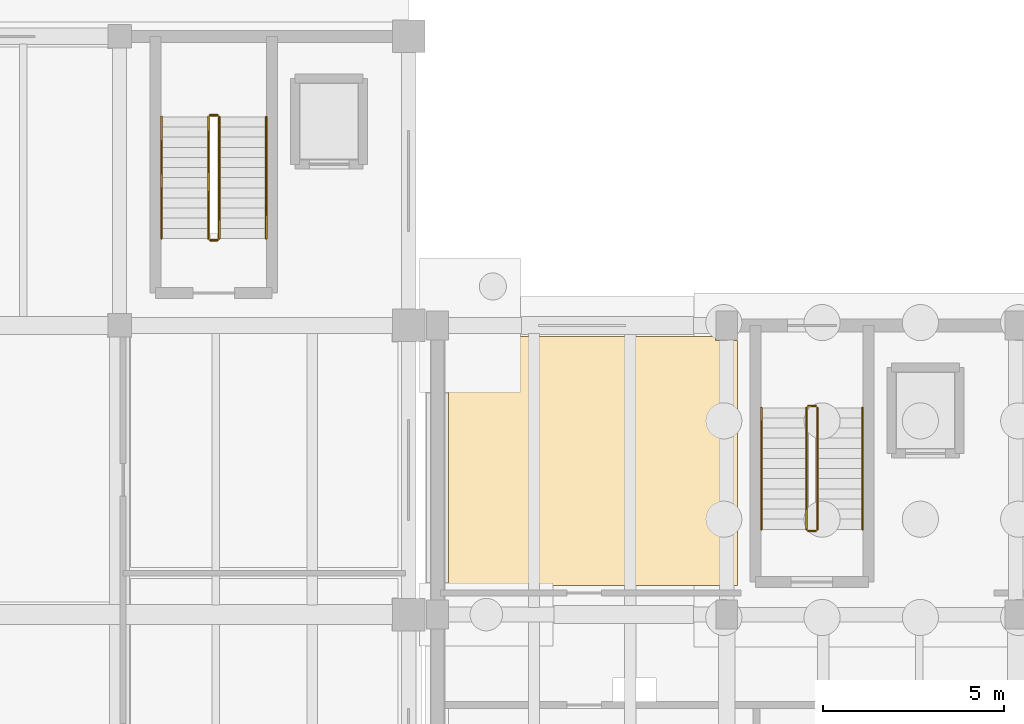
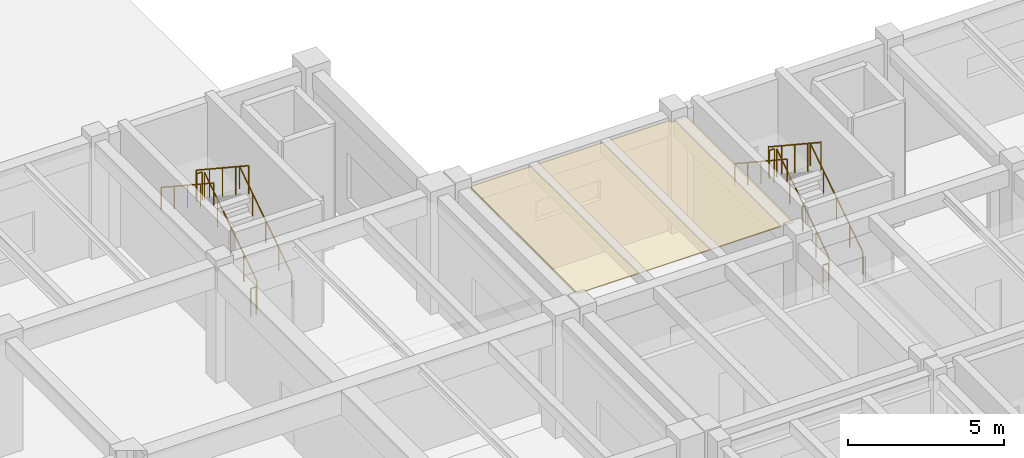
# One storey, part 54 of 64: 12 railings, 1 covering.
"""IFC4 building model written with IfcOpenShell, lengths in metres."""

from ifc_helpers import new_model, si_unit, direction, frame, origin, origin_2d, place, context, subcontext, project, spatial, polyline, circle, outline, extrude, material, layer, layer_set, type_object, element, save


model = new_model("IFC4")

# Units and contexts
model_context = context("Model", 3, precision=1e-05, world=origin(), true_north=direction((0.0, 1.0)))
body_context = subcontext(model_context, "Body", "Model", "MODEL_VIEW")
ifc_project = project(units=[si_unit("LENGTHUNIT", "METRE"), si_unit("AREAUNIT", "SQUARE_METRE"), si_unit("VOLUMEUNIT", "CUBIC_METRE"), si_unit("PLANEANGLEUNIT", "RADIAN"), si_unit("MASSUNIT", "GRAM", prefix="KILO")], contexts=[model_context])

# Site, building, storey
site_placement = place(None, origin())
site = spatial("IfcSite", under=ifc_project, at=site_placement, CompositionType="ELEMENT")
building_placement = place(site_placement, origin())
building = spatial("IfcBuilding", under=site, at=building_placement, Name="Tlaxcora Railside Police Headquarters", CompositionType="ELEMENT")
storey_placement = place(building_placement, origin())
storey = spatial("IfcBuildingStorey", under=building, at=storey_placement, Name="L00", CompositionType="ELEMENT", Elevation=0.0)

# Covering
ifc_material_1 = material(Name="Mineral-fibre acoustic ceiling tile")
ifc_layer = layer(ifc_material_1, 0.034912109375, Name="Mineral-fibre acoustic ceiling tile")
ifc_layer_set = layer_set([ifc_layer], Name="Mineral-fibre acoustic ceiling tile")
covering_type = type_object("IfcCoveringType", Name="Acoustic Suspended Ceiling CLG-01", PredefinedType="CEILING", material=ifc_layer_set)
covering_placement = place(storey_placement, frame((0.0, 0.0, 4.364990234375)))
element("IfcCovering", 1, at=covering_placement, inside=storey, type_object=covering_type, Name="Legal Consultation Booths and Advocate Entry suspended ceiling", PredefinedType="CEILING", context=body_context, shape_type="SweptSolid", body=[
    extrude(outline(polyline([(103.10009765625, 51.590087890625), (103.10009765625, 44.800048828125), (111.10009765625, 44.800048828125), (111.10009765625, 51.590087890625), (110.489990234375, 51.590087890625), (110.489990234375, 51.699951171875), (103.110107421875, 51.699951171875), (103.110107421875, 51.590087890625), (103.10009765625, 51.590087890625)])), origin(), (0.0, 0.0, 1.0), 0.034912109375),
])

# Railings
ifc_material_2 = material(Name="Steel ASTM A992 Grade 50", Category="steel")
railing_type_1 = type_object("IfcRailingType", Name="Stair Well Guard Balustrade GR-02", PredefinedType="BALUSTRADE", material=ifc_material_2)
railing_1_placement = place(storey_placement, frame((96.760009765625, 54.409912109375, 0.1845703125)))
element("IfcRailing", 2, at=railing_1_placement, inside=storey, type_object=railing_type_1, Name="L00 ST9 stair guard 1", PredefinedType="BALUSTRADE", context=body_context, shape_type="SweptSolid", body=[
    extrude(circle(Radius=0.02392578125, at=origin_2d()), frame((0.0, 0.0, 1.09619140625), z_axis=(0.0, 0.834876476806, 0.550437342915), x_axis=(-1.0, 0.0, 0.0)), (0.0, 0.0, 1.0), 4.024658203125),
    extrude(circle(Radius=0.02099609375, at=origin_2d()), origin(), (0.0, 0.0, 1.0), 1.072021484375),
    extrude(circle(Radius=0.02099609375, at=origin_2d()), frame((0.0, 0.840087890625, 0.5537109375)), (0.0, 0.0, 1.0), 1.072021484375),
    extrude(circle(Radius=0.02099609375, at=origin_2d()), frame((0.0, 1.68017578125, 1.107666015625)), (0.0, 0.0, 1.0), 1.072021484375),
    extrude(circle(Radius=0.02099609375, at=origin_2d()), frame((0.0, 2.52001953125, 1.66162109375)), (0.0, 0.0, 1.0), 1.072021484375),
    extrude(circle(Radius=0.02099609375, at=origin_2d()), frame((0.0, 3.360107421875, 2.21533203125)), (0.0, 0.0, 1.0), 1.072021484375),
])
railing_2_placement = place(storey_placement, frame((96.7099609375, 57.820068359375, 2.39990234375)))
element("IfcRailing", 3, at=railing_2_placement, inside=storey, type_object=railing_type_1, Name="L00 ST9 stair guard 2", PredefinedType="BALUSTRADE", context=body_context, shape_type="SweptSolid", body=[
    extrude(circle(Radius=0.02392578125, at=origin_2d()), frame((0.0, 0.0, 1.09619140625), z_axis=(-1.0, 0.0, 0.0), x_axis=(0.0, -1.0, 0.0)), (0.0, 0.0, 1.0), 0.199951171875),
    extrude(circle(Radius=0.02099609375, at=origin_2d()), origin(), (0.0, 0.0, 1.0), 1.072021484375),
    extrude(circle(Radius=0.02099609375, at=origin_2d()), frame((-0.199951171875, 0.0, 0.0)), (0.0, 0.0, 1.0), 1.072021484375),
])
railing_3_placement = place(storey_placement, frame((96.4599609375, 57.77001953125, 2.584716796875)))
element("IfcRailing", 4, at=railing_3_placement, inside=storey, type_object=railing_type_1, Name="L00 ST9 stair guard 3", PredefinedType="BALUSTRADE", context=body_context, shape_type="SweptSolid", body=[
    extrude(circle(Radius=0.02392578125, at=origin_2d()), frame((0.0, 0.0, 1.09619140625), z_axis=(0.0, -0.834876476806, 0.550437342915), x_axis=(1.0, 0.0, 0.0)), (0.0, 0.0, 1.0), 4.024658203125),
    extrude(circle(Radius=0.02099609375, at=origin_2d()), origin(), (0.0, 0.0, 1.0), 1.072021484375),
    extrude(circle(Radius=0.02099609375, at=origin_2d()), frame((0.0, -0.840087890625, 0.5537109375)), (0.0, 0.0, 1.0), 1.072021484375),
    extrude(circle(Radius=0.02099609375, at=origin_2d()), frame((0.0, -1.68017578125, 1.107666015625)), (0.0, 0.0, 1.0), 1.072021484375),
    extrude(circle(Radius=0.02099609375, at=origin_2d()), frame((0.0, -2.52001953125, 1.66162109375)), (0.0, 0.0, 1.0), 1.072021484375),
    extrude(circle(Radius=0.02099609375, at=origin_2d()), frame((0.0, -3.360107421875, 2.21533203125)), (0.0, 0.0, 1.0), 1.072021484375),
])
railing_4_placement = place(storey_placement, frame((96.7099609375, 54.360107421875, 0.0)))
element("IfcRailing", 5, at=railing_4_placement, inside=storey, type_object=railing_type_1, Name="L00 ST9 stair guard 4", PredefinedType="BALUSTRADE", context=body_context, shape_type="SweptSolid", body=[
    extrude(circle(Radius=0.02392578125, at=origin_2d()), frame((0.0, 0.0, 1.09619140625), z_axis=(-1.0, 0.0, 0.0), x_axis=(0.0, -1.0, 0.0)), (0.0, 0.0, 1.0), 0.199951171875),
    extrude(circle(Radius=0.02099609375, at=origin_2d()), origin(), (0.0, 0.0, 1.0), 1.072021484375),
    extrude(circle(Radius=0.02099609375, at=origin_2d()), frame((-0.199951171875, 0.0, 0.0)), (0.0, 0.0, 1.0), 1.072021484375),
])
railing_5_placement = place(storey_placement, frame((113.31005859375, 46.360107421875, 0.1845703125)))
element("IfcRailing", 6, at=railing_5_placement, inside=storey, type_object=railing_type_1, Name="L00 ST5 stair guard 1", PredefinedType="BALUSTRADE", context=body_context, shape_type="SweptSolid", body=[
    extrude(circle(Radius=0.02392578125, at=origin_2d()), frame((0.0, 0.0, 1.09619140625), z_axis=(0.0, 0.834858096282, 0.550465220583), x_axis=(-1.0, 0.0, 0.0)), (0.0, 0.0, 1.0), 4.0244140625),
    extrude(circle(Radius=0.02099609375, at=origin_2d()), origin(), (0.0, 0.0, 1.0), 1.072021484375),
    extrude(circle(Radius=0.02099609375, at=origin_2d()), frame((0.0, 0.83984375, 0.5537109375)), (0.0, 0.0, 1.0), 1.072021484375),
    extrude(circle(Radius=0.02099609375, at=origin_2d()), frame((0.0, 1.679931640625, 1.107666015625)), (0.0, 0.0, 1.0), 1.072021484375),
    extrude(circle(Radius=0.02099609375, at=origin_2d()), frame((0.0, 2.52001953125, 1.66162109375)), (0.0, 0.0, 1.0), 1.072021484375),
    extrude(circle(Radius=0.02099609375, at=origin_2d()), frame((0.0, 3.35986328125, 2.21533203125)), (0.0, 0.0, 1.0), 1.072021484375),
])
railing_6_placement = place(storey_placement, frame((113.260009765625, 49.77001953125, 2.39990234375)))
element("IfcRailing", 7, at=railing_6_placement, inside=storey, type_object=railing_type_1, Name="L00 ST5 stair guard 2", PredefinedType="BALUSTRADE", context=body_context, shape_type="SweptSolid", body=[
    extrude(circle(Radius=0.02392578125, at=origin_2d()), frame((0.0, 0.0, 1.09619140625), z_axis=(-1.0, 0.0, 0.0), x_axis=(0.0, -1.0, 0.0)), (0.0, 0.0, 1.0), 0.199951171875),
    extrude(circle(Radius=0.02099609375, at=origin_2d()), origin(), (0.0, 0.0, 1.0), 1.072021484375),
    extrude(circle(Radius=0.02099609375, at=origin_2d()), frame((-0.199951171875, 0.0, 0.0)), (0.0, 0.0, 1.0), 1.072021484375),
])
railing_7_placement = place(storey_placement, frame((113.010009765625, 49.719970703125, 2.584716796875)))
element("IfcRailing", 8, at=railing_7_placement, inside=storey, type_object=railing_type_1, Name="L00 ST5 stair guard 3", PredefinedType="BALUSTRADE", context=body_context, shape_type="SweptSolid", body=[
    extrude(circle(Radius=0.02392578125, at=origin_2d()), frame((0.0, 0.0, 1.09619140625), z_axis=(0.0, -0.834858096282, 0.550465220583), x_axis=(1.0, 0.0, 0.0)), (0.0, 0.0, 1.0), 4.0244140625),
    extrude(circle(Radius=0.02099609375, at=origin_2d()), origin(), (0.0, 0.0, 1.0), 1.072021484375),
    extrude(circle(Radius=0.02099609375, at=origin_2d()), frame((0.0, -0.83984375, 0.5537109375)), (0.0, 0.0, 1.0), 1.072021484375),
    extrude(circle(Radius=0.02099609375, at=origin_2d()), frame((0.0, -1.679931640625, 1.107666015625)), (0.0, 0.0, 1.0), 1.072021484375),
    extrude(circle(Radius=0.02099609375, at=origin_2d()), frame((0.0, -2.52001953125, 1.66162109375)), (0.0, 0.0, 1.0), 1.072021484375),
    extrude(circle(Radius=0.02099609375, at=origin_2d()), frame((0.0, -3.35986328125, 2.21533203125)), (0.0, 0.0, 1.0), 1.072021484375),
])
railing_8_placement = place(storey_placement, frame((113.260009765625, 46.31005859375, 0.0)))
element("IfcRailing", 9, at=railing_8_placement, inside=storey, type_object=railing_type_1, Name="L00 ST5 stair guard 4", PredefinedType="BALUSTRADE", context=body_context, shape_type="SweptSolid", body=[
    extrude(circle(Radius=0.02392578125, at=origin_2d()), frame((0.0, 0.0, 1.09619140625), z_axis=(-1.0, 0.0, 0.0), x_axis=(0.0, -1.0, 0.0)), (0.0, 0.0, 1.0), 0.199951171875),
    extrude(circle(Radius=0.02099609375, at=origin_2d()), origin(), (0.0, 0.0, 1.0), 1.072021484375),
    extrude(circle(Radius=0.02099609375, at=origin_2d()), frame((-0.199951171875, 0.0, 0.0)), (0.0, 0.0, 1.0), 1.072021484375),
])
railing_type_2 = type_object("IfcRailingType", Name="Stair and Ramp Handrail HR-01", PredefinedType="HANDRAIL", material=ifc_material_2)
railing_9_placement = place(storey_placement, frame((98.06005859375, 54.409912109375, 0.1845703125)))
element("IfcRailing", 10, at=railing_9_placement, inside=storey, type_object=railing_type_2, Name="L00 ST9 stair handrail 1", PredefinedType="HANDRAIL", context=body_context, shape_type="SweptSolid", body=[
    extrude(circle(Radius=0.02392578125, at=origin_2d()), frame((0.0, 0.0, 0.8759765625), z_axis=(0.0, 0.834876476806, 0.550437342915), x_axis=(-1.0, 0.0, 0.0)), (0.0, 0.0, 1.0), 4.024658203125),
    extrude(circle(Radius=0.02099609375, at=origin_2d()), origin(), (0.0, 0.0, 1.0), 0.851806640625),
    extrude(circle(Radius=0.02099609375, at=origin_2d()), frame((0.0, 0.840087890625, 0.5537109375)), (0.0, 0.0, 1.0), 0.851806640625),
    extrude(circle(Radius=0.02099609375, at=origin_2d()), frame((0.0, 1.68017578125, 1.107666015625)), (0.0, 0.0, 1.0), 0.851806640625),
    extrude(circle(Radius=0.02099609375, at=origin_2d()), frame((0.0, 2.52001953125, 1.66162109375)), (0.0, 0.0, 1.0), 0.851806640625),
    extrude(circle(Radius=0.02099609375, at=origin_2d()), frame((0.0, 3.360107421875, 2.21533203125)), (0.0, 0.0, 1.0), 0.851806640625),
])
railing_10_placement = place(storey_placement, frame((95.159912109375, 57.77001953125, 2.584716796875)))
element("IfcRailing", 11, at=railing_10_placement, inside=storey, type_object=railing_type_2, Name="L00 ST9 stair handrail 2", PredefinedType="HANDRAIL", context=body_context, shape_type="SweptSolid", body=[
    extrude(circle(Radius=0.02392578125, at=origin_2d()), frame((0.0, 0.0, 0.8759765625), z_axis=(0.0, -0.834876476806, 0.550437342915), x_axis=(1.0, 0.0, 0.0)), (0.0, 0.0, 1.0), 4.024658203125),
    extrude(circle(Radius=0.02099609375, at=origin_2d()), origin(), (0.0, 0.0, 1.0), 0.851806640625),
    extrude(circle(Radius=0.02099609375, at=origin_2d()), frame((0.0, -0.840087890625, 0.5537109375)), (0.0, 0.0, 1.0), 0.851806640625),
    extrude(circle(Radius=0.02099609375, at=origin_2d()), frame((0.0, -1.68017578125, 1.107666015625)), (0.0, 0.0, 1.0), 0.851806640625),
    extrude(circle(Radius=0.02099609375, at=origin_2d()), frame((0.0, -2.52001953125, 1.66162109375)), (0.0, 0.0, 1.0), 0.851806640625),
    extrude(circle(Radius=0.02099609375, at=origin_2d()), frame((0.0, -3.360107421875, 2.21533203125)), (0.0, 0.0, 1.0), 0.851806640625),
])
railing_11_placement = place(storey_placement, frame((114.56005859375, 46.360107421875, 0.1845703125)))
element("IfcRailing", 12, at=railing_11_placement, inside=storey, type_object=railing_type_2, Name="L00 ST5 stair handrail 1", PredefinedType="HANDRAIL", context=body_context, shape_type="SweptSolid", body=[
    extrude(circle(Radius=0.02392578125, at=origin_2d()), frame((0.0, 0.0, 0.8759765625), z_axis=(0.0, 0.834858096282, 0.550465220583), x_axis=(-1.0, 0.0, 0.0)), (0.0, 0.0, 1.0), 4.0244140625),
    extrude(circle(Radius=0.02099609375, at=origin_2d()), origin(), (0.0, 0.0, 1.0), 0.851806640625),
    extrude(circle(Radius=0.02099609375, at=origin_2d()), frame((0.0, 0.83984375, 0.5537109375)), (0.0, 0.0, 1.0), 0.851806640625),
    extrude(circle(Radius=0.02099609375, at=origin_2d()), frame((0.0, 1.679931640625, 1.107666015625)), (0.0, 0.0, 1.0), 0.851806640625),
    extrude(circle(Radius=0.02099609375, at=origin_2d()), frame((0.0, 2.52001953125, 1.66162109375)), (0.0, 0.0, 1.0), 0.851806640625),
    extrude(circle(Radius=0.02099609375, at=origin_2d()), frame((0.0, 3.35986328125, 2.21533203125)), (0.0, 0.0, 1.0), 0.851806640625),
])
railing_12_placement = place(storey_placement, frame((111.760009765625, 49.719970703125, 2.584716796875)))
element("IfcRailing", 13, at=railing_12_placement, inside=storey, type_object=railing_type_2, Name="L00 ST5 stair handrail 2", PredefinedType="HANDRAIL", context=body_context, shape_type="SweptSolid", body=[
    extrude(circle(Radius=0.02392578125, at=origin_2d()), frame((0.0, 0.0, 0.8759765625), z_axis=(0.0, -0.834858096282, 0.550465220583), x_axis=(1.0, 0.0, 0.0)), (0.0, 0.0, 1.0), 4.0244140625),
    extrude(circle(Radius=0.02099609375, at=origin_2d()), origin(), (0.0, 0.0, 1.0), 0.851806640625),
    extrude(circle(Radius=0.02099609375, at=origin_2d()), frame((0.0, -0.83984375, 0.5537109375)), (0.0, 0.0, 1.0), 0.851806640625),
    extrude(circle(Radius=0.02099609375, at=origin_2d()), frame((0.0, -1.679931640625, 1.107666015625)), (0.0, 0.0, 1.0), 0.851806640625),
    extrude(circle(Radius=0.02099609375, at=origin_2d()), frame((0.0, -2.52001953125, 1.66162109375)), (0.0, 0.0, 1.0), 0.851806640625),
    extrude(circle(Radius=0.02099609375, at=origin_2d()), frame((0.0, -3.35986328125, 2.21533203125)), (0.0, 0.0, 1.0), 0.851806640625),
])

save(model, "model.ifc")
